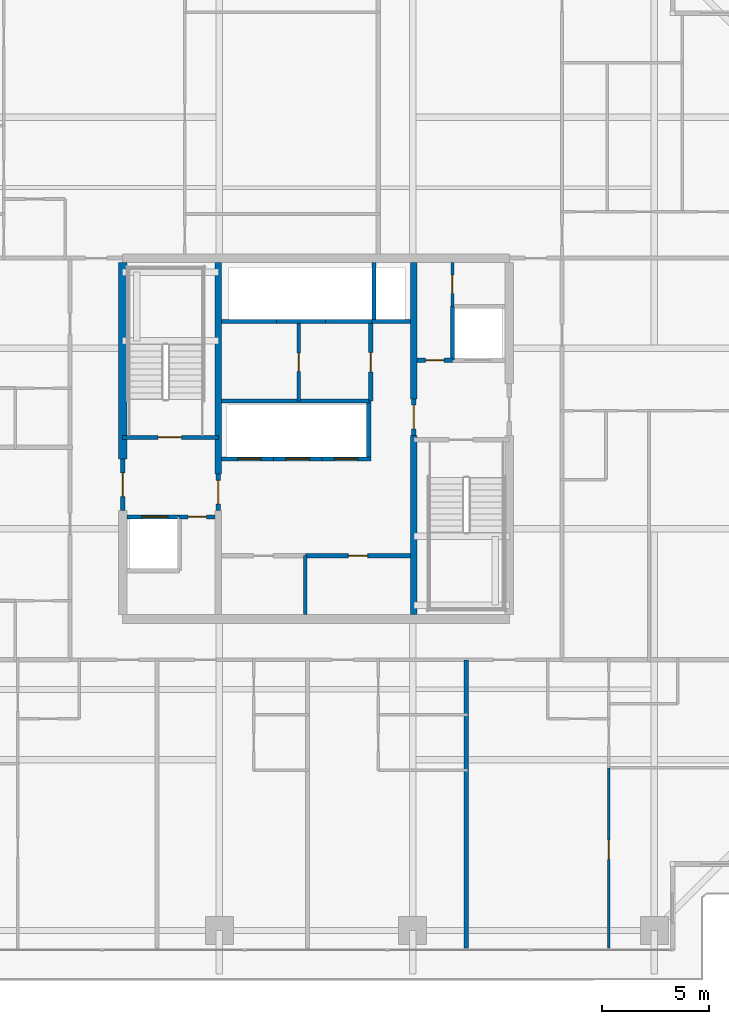
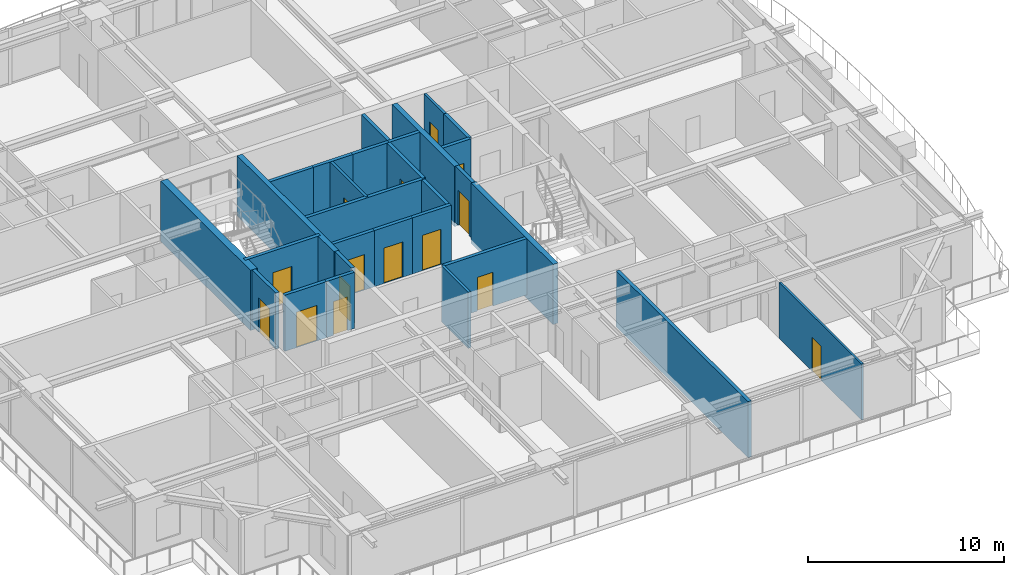
# One storey, part 24 of 33: 29 walls, 15 doors, 15 openings.
"""IFC4 building model written with IfcOpenShell, lengths in metres."""

from ifc_helpers import new_model, si_unit, direction, frame, frame_2d, origin, place, context, subcontext, project, spatial, rectangle, extrude, source, transform, mapped, material, layer, layer_set, type_object, element, fill, save


model = new_model("IFC4")

# Units and contexts
model_context = context("Model", 3, precision=1e-05, world=origin(), true_north=direction((0.0, 1.0)))
body_context = subcontext(model_context, "Body", "Model", "MODEL_VIEW")
ifc_project = project(units=[si_unit("LENGTHUNIT", "METRE"), si_unit("AREAUNIT", "SQUARE_METRE"), si_unit("VOLUMEUNIT", "CUBIC_METRE"), si_unit("PLANEANGLEUNIT", "RADIAN"), si_unit("MASSUNIT", "GRAM", prefix="KILO")], contexts=[model_context])

# Site, building, storey
site_placement = place(None, origin())
site = spatial("IfcSite", under=ifc_project, at=site_placement, CompositionType="ELEMENT")
building_placement = place(site_placement, origin())
building = spatial("IfcBuilding", under=site, at=building_placement, Name="Serunith Strait Residences", CompositionType="ELEMENT")
storey_placement = place(building_placement, frame((0.0, 0.0, 150.14990234375)))
storey = spatial("IfcBuildingStorey", under=building, at=storey_placement, Name="L37", CompositionType="ELEMENT", Elevation=150.14990234375)

# Wall, opening, door
ifc_material_1 = material(Name="Fire-rated masonry service closet wall", Category="masonry")
ifc_layer_1 = layer(ifc_material_1, 0.14990234375, Name="Fire-rated masonry service closet wall")
ifc_layer_set_1 = layer_set([ifc_layer_1], Name="Fire-rated masonry service closet wall")
wall_type_1 = type_object("IfcWallType", Name="IW-BOH-150", PredefinedType="PARTITIONING", material=ifc_layer_set_1)
wall_1_placement = place(storey_placement, frame((38.75, 31.35205078125, 0.0), z_axis=(0.0, 0.0, 1.0), x_axis=(0.0, 1.0, 0.0)))
wall_1 = element("IfcWall", 1, at=wall_1_placement, inside=storey, type_object=wall_type_1, Name="L37 Partition Wall 012", PredefinedType="PARTITIONING", context=body_context, shape_type="SweptSolid", body=[
    extrude(rectangle(XDim=2.0478515625, YDim=0.14990234375, at=frame_2d((1.02392578125, 0.0))), origin(), (0.0, 0.0, 1.0), 3.489990234375),
])
opening_1_placement = place(wall_1_placement, frame((0.59912109375, 0.0, 0.0)))
opening_1 = element("IfcOpeningElement", 2, at=opening_1_placement, cuts=wall_1, Name="Opening FD-850", PredefinedType="OPENING", context=body_context, shape_type="SweptSolid", body=[
    extrude(rectangle(XDim=0.85009765625, YDim=2.10009765625, at=frame_2d((0.425048828125, 1.050048828125))), frame((0.0, 0.0849609375, 0.0), z_axis=(0.0, -1.0, 0.0), x_axis=(1.0, 0.0, 0.0)), (0.0, 0.0, 1.0), 0.169921875),
])
ifc_material_2 = material(Name="Powder-coated steel service closet door", Category="steel")
door_type_1 = type_object("IfcDoorType", Name="FD-BOH-850", OperationType="NOTDEFINED", PredefinedType="DOOR", material=ifc_material_2)
shared_shape_1 = source(origin(), body_context, "Body", "SweptSolid", [
    extrude(rectangle(XDim=0.85009765625, YDim=2.10009765625, at=frame_2d((0.425048828125, 1.050048828125))), frame((0.0, 0.02490234375, 0.0), z_axis=(0.0, -1.0, 0.0), x_axis=(1.0, 0.0, 0.0)), (0.0, 0.0, 1.0), 0.050048828125),
])
door_1_placement = place(opening_1_placement, origin())
door_1 = element("IfcDoor", 3, at=door_1_placement, inside=storey, type_object=door_type_1, Name="L37 ELV Data Closet Door", OperationType="SINGLE_SWING_RIGHT", OverallHeight=2.10009765625, OverallWidth=0.85009765625, PredefinedType="DOOR", context=body_context, shape_type="MappedRepresentation", body=[
    mapped(shared_shape_1, transform((0.0, 0.0, 0.0), scale=1.0)),
])
fill(opening_1, door_1)

wall_2_placement = place(storey_placement, frame((31.60009765625, 26.949951171875, 0.0), z_axis=(0.0, 0.0, 1.0), x_axis=(0.0, 1.0, 0.0)))
wall_2 = element("IfcWall", 4, at=wall_2_placement, inside=storey, type_object=wall_type_1, Name="L37 Partition Wall 014", PredefinedType="PARTITIONING", context=body_context, shape_type="SweptSolid", body=[
    extrude(rectangle(XDim=3.60009765625, YDim=0.14990234375, at=frame_2d((1.800048828125, 0.0))), origin(), (0.0, 0.0, 1.0), 3.489990234375),
])
opening_2_placement = place(wall_2_placement, frame((1.375, 0.0, 0.0)))
opening_2 = element("IfcOpeningElement", 5, at=opening_2_placement, cuts=wall_2, Name="Opening FD-850", PredefinedType="OPENING", context=body_context, shape_type="SweptSolid", body=[
    extrude(rectangle(XDim=0.85009765625, YDim=2.10009765625, at=frame_2d((0.425048828125, 1.050048828125))), frame((0.0, 0.0849609375, 0.0), z_axis=(0.0, -1.0, 0.0), x_axis=(1.0, 0.0, 0.0)), (0.0, 0.0, 1.0), 0.169921875),
])
door_2_placement = place(opening_2_placement, origin())
door_2 = element("IfcDoor", 6, at=door_2_placement, inside=storey, type_object=door_type_1, Name="L37 Zone Telecoms Door", OperationType="SINGLE_SWING_RIGHT", OverallHeight=2.10009765625, OverallWidth=0.85009765625, PredefinedType="DOOR", context=body_context, shape_type="MappedRepresentation", body=[
    mapped(shared_shape_1, transform((0.0, 0.0, 0.0), scale=1.0)),
])
fill(opening_2, door_2)

# Wall
wall_3_placement = place(storey_placement, frame((31.89990234375, 17.02001953125, 0.0), z_axis=(0.0, 0.0, 1.0), x_axis=(0.0, 1.0, 0.0)))
element("IfcWall", 7, at=wall_3_placement, inside=storey, type_object=wall_type_1, Name="L37 Partition Wall 017", PredefinedType="PARTITIONING", context=body_context, shape_type="SweptSolid", body=[
    extrude(rectangle(XDim=2.72998046875, YDim=0.14990234375, at=frame_2d((1.364990234375, 0.0))), origin(), (0.0, 0.0, 1.0), 3.489990234375),
])

# Wall, opening, door
ifc_material_3 = material(Name="Lightweight steel-stud gypsum partition", Category="steel")
ifc_layer_2 = layer(ifc_material_3, 0.1201171875, Name="Lightweight steel-stud gypsum partition")
ifc_layer_set_2 = layer_set([ifc_layer_2], Name="Lightweight steel-stud gypsum partition")
wall_type_2 = type_object("IfcWallType", Name="IW-PART-120", PredefinedType="PARTITIONING", material=ifc_layer_set_2)
wall_4_placement = place(storey_placement, frame((46.030029296875, 1.4951171875, 0.0), z_axis=(0.0, 0.0, 1.0), x_axis=(0.0, 1.0, 0.0)))
wall_4 = element("IfcWall", 8, at=wall_4_placement, inside=storey, type_object=wall_type_2, Name="L37 Partition Wall 049", PredefinedType="PARTITIONING", context=body_context, shape_type="SweptSolid", body=[
    extrude(rectangle(XDim=8.3779296875, YDim=0.1201171875, at=frame_2d((4.18896484375, 0.0))), origin(), (0.0, 0.0, 1.0), 3.489990234375),
])
opening_3_placement = place(wall_4_placement, frame((4.113037109375, 0.0, 0.0)))
opening_3 = element("IfcOpeningElement", 9, at=opening_3_placement, cuts=wall_4, Name="Opening D-RM900", PredefinedType="OPENING", context=body_context, shape_type="SweptSolid", body=[
    extrude(rectangle(XDim=0.89990234375, YDim=2.10009765625, at=frame_2d((0.449951171875, 1.050048828125))), frame((0.0, 0.070068359375, 0.0), z_axis=(0.0, -1.0, 0.0), x_axis=(1.0, 0.0, 0.0)), (0.0, 0.0, 1.0), 0.14013671875),
])
ifc_material_4 = material(Name="Engineered timber flush bedroom door", Category="wood")
door_type_2 = type_object("IfcDoorType", Name="ID-ROOM-900", OperationType="NOTDEFINED", PredefinedType="DOOR", material=ifc_material_4)
shared_shape_2 = source(origin(), body_context, "Body", "SweptSolid", [
    extrude(rectangle(XDim=0.89990234375, YDim=2.10009765625, at=frame_2d((0.449951171875, 1.050048828125))), frame((0.0, 0.02490234375, 0.0), z_axis=(0.0, -1.0, 0.0), x_axis=(1.0, 0.0, 0.0)), (0.0, 0.0, 1.0), 0.050048828125),
])
door_3_placement = place(opening_3_placement, origin())
door_3 = element("IfcDoor", 10, at=door_3_placement, inside=storey, type_object=door_type_2, Name="L37 Master Bedroom 1 3704 Door", OperationType="SINGLE_SWING_LEFT", OverallHeight=2.10009765625, OverallWidth=0.89990234375, PredefinedType="DOOR", context=body_context, shape_type="MappedRepresentation", body=[
    mapped(shared_shape_2, transform((0.0, 0.0, 0.0), scale=1.0)),
])
fill(opening_3, door_3)

# Wall
ifc_material_5 = material(Name="Twin-stud acoustic gypsum board partition")
ifc_layer_3 = layer(ifc_material_5, 0.199951171875, Name="Twin-stud acoustic gypsum board partition")
ifc_layer_set_3 = layer_set([ifc_layer_3], Name="Twin-stud acoustic gypsum board partition")
wall_type_3 = type_object("IfcWallType", Name="IW-PARTY-200", PredefinedType="PARTITIONING", material=ifc_layer_set_3)
wall_5_placement = place(storey_placement, frame((39.39990234375, 1.48193359375, 0.0), z_axis=(0.0, 0.0, 1.0), x_axis=(0.0, 1.0, 0.0)))
element("IfcWall", 11, at=wall_5_placement, inside=storey, type_object=wall_type_3, Name="L37 Partition Wall 020", PredefinedType="PARTITIONING", context=body_context, shape_type="SweptSolid", body=[
    extrude(rectangle(XDim=13.41796875, YDim=0.199951171875, at=frame_2d((6.708984375, 0.0))), origin(), (0.0, 0.0, 1.0), 3.489990234375),
])

# Wall, opening, door
ifc_material_6 = material(Name="Autoclaved aerated concrete blockwork", Category="masonry")
ifc_layer_4 = layer(ifc_material_6, 0.199951171875, Name="Autoclaved aerated concrete blockwork")
ifc_layer_set_4 = layer_set([ifc_layer_4], Name="Autoclaved aerated concrete blockwork")
wall_type_4 = type_object("IfcWallType", Name="IW-SHAFT-200", PredefinedType="STANDARD", material=ifc_layer_set_4)
wall_6_placement = place(storey_placement, frame((23.39990234375, 25.25, 0.0), z_axis=(0.0, 0.0, 1.0), x_axis=(1.0, 0.0, 0.0)))
wall_6 = element("IfcWall", 12, at=wall_6_placement, inside=storey, type_object=wall_type_4, Name="L37 ST-1 South Shaft Wall", PredefinedType="STANDARD", context=body_context, shape_type="SweptSolid", body=[
    extrude(rectangle(XDim=4.4501953125, YDim=0.199951171875, at=frame_2d((2.22509765625, 0.0))), origin(), (0.0, 0.0, 1.0), 3.489990234375),
])
opening_4_placement = place(wall_6_placement, frame((1.64990234375, 0.0, 0.0)))
opening_4 = element("IfcOpeningElement", 13, at=opening_4_placement, cuts=wall_6, Name="Opening FD-1100", PredefinedType="OPENING", context=body_context, shape_type="SweptSolid", body=[
    extrude(rectangle(XDim=1.10009765625, YDim=2.14990234375, at=frame_2d((0.550048828125, 1.074951171875))), frame((0.0, 0.10986328125, 0.0), z_axis=(0.0, -1.0, 0.0), x_axis=(1.0, 0.0, 0.0)), (0.0, 0.0, 1.0), 0.219970703125),
])
ifc_material_7 = material(Name="Galvanised steel fire door leaf", Category="steel")
door_type_3 = type_object("IfcDoorType", Name="FD-STAIR-1100", OperationType="NOTDEFINED", PredefinedType="DOOR", material=ifc_material_7)
shared_shape_3 = source(origin(), body_context, "Body", "SweptSolid", [
    extrude(rectangle(XDim=1.10009765625, YDim=2.14990234375, at=frame_2d((0.550048828125, 1.074951171875))), frame((0.0, 0.02490234375, 0.0), z_axis=(0.0, -1.0, 0.0), x_axis=(1.0, 0.0, 0.0)), (0.0, 0.0, 1.0), 0.050048828125),
])
door_4_placement = place(opening_4_placement, origin())
door_4 = element("IfcDoor", 14, at=door_4_placement, inside=storey, type_object=door_type_3, Name="L37 ST-1 Escape Stair Door", OperationType="SINGLE_SWING_LEFT", OverallHeight=2.14990234375, OverallWidth=1.10009765625, PredefinedType="DOOR", context=body_context, shape_type="MappedRepresentation", body=[
    mapped(shared_shape_3, transform((0.0, 0.0, 0.0), scale=1.0)),
])
fill(opening_4, door_4)

wall_7_placement = place(storey_placement, frame((23.60009765625, 21.550048828125, 0.0), z_axis=(0.0, 0.0, 1.0), x_axis=(1.0, 0.0, 0.0)))
wall_7 = element("IfcWall", 15, at=wall_7_placement, inside=storey, type_object=wall_type_4, Name="L37 FL-1 North Shaft Wall", PredefinedType="STANDARD", context=body_context, shape_type="SweptSolid", body=[
    extrude(rectangle(XDim=2.449951171875, YDim=0.199951171875, at=frame_2d((1.22509765625, 0.0))), origin(), (0.0, 0.0, 1.0), 3.489990234375),
])
opening_5_placement = place(wall_7_placement, frame((0.699951171875, 0.0, 0.0)))
opening_5 = element("IfcOpeningElement", 16, at=opening_5_placement, cuts=wall_7, Name="Opening LD-FF1200", PredefinedType="OPENING", context=body_context, shape_type="SweptSolid", body=[
    extrude(rectangle(XDim=1.199951171875, YDim=2.199951171875, at=frame_2d((0.60009765625, 1.10009765625))), frame((0.0, 0.10986328125, 0.0), z_axis=(0.0, -1.0, 0.0), x_axis=(1.0, 0.0, 0.0)), (0.0, 0.0, 1.0), 0.219970703125),
])
ifc_material_8 = material(Name="Brushed stainless steel landing door", Category="steel")
door_type_4 = type_object("IfcDoorType", Name="LD-FF-1200", OperationType="DOUBLE_DOOR_SLIDING", PredefinedType="DOOR", material=ifc_material_8)
shared_shape_4 = source(origin(), body_context, "Body", "SweptSolid", [
    extrude(rectangle(XDim=1.199951171875, YDim=2.199951171875, at=frame_2d((0.60009765625, 1.10009765625))), frame((0.0, 0.02490234375, 0.0), z_axis=(0.0, -1.0, 0.0), x_axis=(1.0, 0.0, 0.0)), (0.0, 0.0, 1.0), 0.050048828125),
])
door_5_placement = place(opening_5_placement, origin())
door_5 = element("IfcDoor", 17, at=door_5_placement, inside=storey, type_object=door_type_4, Name="L37 FL-1 Landing Door", OperationType="DOUBLE_DOOR_SLIDING", OverallHeight=2.199951171875, OverallWidth=1.199951171875, PredefinedType="DOOR", context=body_context, shape_type="MappedRepresentation", body=[
    mapped(shared_shape_4, transform((0.0, 0.0, 0.0), scale=1.0)),
])
fill(opening_5, door_5)

wall_8_placement = place(storey_placement, frame((28.0, 24.25, 0.0), z_axis=(0.0, 0.0, 1.0), x_axis=(1.0, 0.0, 0.0)))
wall_8 = element("IfcWall", 18, at=wall_8_placement, inside=storey, type_object=wall_type_4, Name="L37 PL-4 South Shaft Wall", PredefinedType="STANDARD", context=body_context, shape_type="SweptSolid", body=[
    extrude(rectangle(XDim=2.425048828125, YDim=0.199951171875, at=frame_2d((1.21240234375, 0.0))), origin(), (0.0, 0.0, 1.0), 3.489990234375),
])
opening_6_placement = place(wall_8_placement, frame((0.75, 0.0, 0.0)))
opening_6 = element("IfcOpeningElement", 19, at=opening_6_placement, cuts=wall_8, Name="Opening LD-1100", PredefinedType="OPENING", context=body_context, shape_type="SweptSolid", body=[
    extrude(rectangle(XDim=1.10009765625, YDim=2.199951171875, at=frame_2d((0.550048828125, 1.10009765625))), frame((0.0, 0.10986328125, 0.0), z_axis=(0.0, -1.0, 0.0), x_axis=(1.0, 0.0, 0.0)), (0.0, 0.0, 1.0), 0.219970703125),
])
ifc_material_9 = material(Name="Pale-champagne stainless landing door")
door_type_5 = type_object("IfcDoorType", Name="LD-LIFT-1100", OperationType="DOUBLE_DOOR_SLIDING", PredefinedType="DOOR", material=ifc_material_9)
shared_shape_5 = source(origin(), body_context, "Body", "SweptSolid", [
    extrude(rectangle(XDim=1.10009765625, YDim=2.199951171875, at=frame_2d((0.550048828125, 1.10009765625))), frame((0.0, 0.02490234375, 0.0), z_axis=(0.0, -1.0, 0.0), x_axis=(1.0, 0.0, 0.0)), (0.0, 0.0, 1.0), 0.050048828125),
])
door_6_placement = place(opening_6_placement, origin())
door_6 = element("IfcDoor", 20, at=door_6_placement, inside=storey, type_object=door_type_5, Name="L37 PL-4 Landing Door", OperationType="DOUBLE_DOOR_SLIDING", OverallHeight=2.199951171875, OverallWidth=1.10009765625, PredefinedType="DOOR", context=body_context, shape_type="MappedRepresentation", body=[
    mapped(shared_shape_5, transform((0.0, 0.0, 0.0), scale=1.0)),
])
fill(opening_6, door_6)

wall_9_placement = place(storey_placement, frame((30.425048828125, 24.25, 0.0), z_axis=(0.0, 0.0, 1.0), x_axis=(1.0, 0.0, 0.0)))
wall_9 = element("IfcWall", 21, at=wall_9_placement, inside=storey, type_object=wall_type_4, Name="L37 PL-5 South Shaft Wall", PredefinedType="STANDARD", context=body_context, shape_type="SweptSolid", body=[
    extrude(rectangle(XDim=2.25, YDim=0.199951171875, at=frame_2d((1.125, 0.0))), origin(), (0.0, 0.0, 1.0), 3.489990234375),
])
opening_7_placement = place(wall_9_placement, frame((0.574951171875, 0.0, 0.0)))
opening_7 = element("IfcOpeningElement", 22, at=opening_7_placement, cuts=wall_9, Name="Opening LD-1100", PredefinedType="OPENING", context=body_context, shape_type="SweptSolid", body=[
    extrude(rectangle(XDim=1.10009765625, YDim=2.199951171875, at=frame_2d((0.550048828125, 1.10009765625))), frame((0.0, 0.10986328125, 0.0), z_axis=(0.0, -1.0, 0.0), x_axis=(1.0, 0.0, 0.0)), (0.0, 0.0, 1.0), 0.219970703125),
])
door_7_placement = place(opening_7_placement, origin())
door_7 = element("IfcDoor", 23, at=door_7_placement, inside=storey, type_object=door_type_5, Name="L37 PL-5 Landing Door", OperationType="DOUBLE_DOOR_SLIDING", OverallHeight=2.199951171875, OverallWidth=1.10009765625, PredefinedType="DOOR", context=body_context, shape_type="MappedRepresentation", body=[
    mapped(shared_shape_5, transform((0.0, 0.0, 0.0), scale=1.0)),
])
fill(opening_7, door_7)

wall_10_placement = place(storey_placement, frame((32.675048828125, 24.25, 0.0), z_axis=(0.0, 0.0, 1.0), x_axis=(1.0, 0.0, 0.0)))
wall_10 = element("IfcWall", 24, at=wall_10_placement, inside=storey, type_object=wall_type_4, Name="L37 PL-6 South Shaft Wall", PredefinedType="STANDARD", context=body_context, shape_type="SweptSolid", body=[
    extrude(rectangle(XDim=2.27490234375, YDim=0.199951171875, at=frame_2d((1.137451171875, 0.0))), origin(), (0.0, 0.0, 1.0), 3.489990234375),
])
opening_8_placement = place(wall_10_placement, frame((0.574951171875, 0.0, 0.0)))
opening_8 = element("IfcOpeningElement", 25, at=opening_8_placement, cuts=wall_10, Name="Opening LD-1100", PredefinedType="OPENING", context=body_context, shape_type="SweptSolid", body=[
    extrude(rectangle(XDim=1.10009765625, YDim=2.199951171875, at=frame_2d((0.550048828125, 1.10009765625))), frame((0.0, 0.10986328125, 0.0), z_axis=(0.0, -1.0, 0.0), x_axis=(1.0, 0.0, 0.0)), (0.0, 0.0, 1.0), 0.219970703125),
])
door_8_placement = place(opening_8_placement, origin())
door_8 = element("IfcDoor", 26, at=door_8_placement, inside=storey, type_object=door_type_5, Name="L37 PL-6 Landing Door", OperationType="DOUBLE_DOOR_SLIDING", OverallHeight=2.199951171875, OverallWidth=1.10009765625, PredefinedType="DOOR", context=body_context, shape_type="MappedRepresentation", body=[
    mapped(shared_shape_5, transform((0.0, 0.0, 0.0), scale=1.0)),
])
fill(opening_8, door_8)

# Walls
wall_11_placement = place(storey_placement, frame((34.85009765625, 24.35009765625, 0.0), z_axis=(0.0, 0.0, 1.0), x_axis=(0.0, 1.0, 0.0)))
element("IfcWall", 27, at=wall_11_placement, inside=storey, type_object=wall_type_4, Name="L37 PL-6 East Shaft Wall", PredefinedType="STANDARD", context=body_context, shape_type="SweptSolid", body=[
    extrude(rectangle(XDim=2.5, YDim=0.199951171875, at=frame_2d((1.25, 0.0))), origin(), (0.0, 0.0, 1.0), 3.489990234375),
])
wall_12_placement = place(storey_placement, frame((28.0, 30.64990234375, 0.0), z_axis=(0.0, 0.0, 1.0), x_axis=(1.0, 0.0, 0.0)))
element("IfcWall", 28, at=wall_12_placement, inside=storey, type_object=wall_type_4, Name="L37 PL-7 South Shaft Wall", PredefinedType="STANDARD", context=body_context, shape_type="SweptSolid", body=[
    extrude(rectangle(XDim=2.550048828125, YDim=0.199951171875, at=frame_2d((1.27490234375, 0.0))), origin(), (0.0, 0.0, 1.0), 3.489990234375),
])
wall_13_placement = place(storey_placement, frame((30.550048828125, 30.64990234375, 0.0), z_axis=(0.0, 0.0, 1.0), x_axis=(1.0, 0.0, 0.0)))
element("IfcWall", 29, at=wall_13_placement, inside=storey, type_object=wall_type_4, Name="L37 PL-8 South Shaft Wall", PredefinedType="STANDARD", context=body_context, shape_type="SweptSolid", body=[
    extrude(rectangle(XDim=2.300048828125, YDim=0.199951171875, at=frame_2d((1.14990234375, 0.0))), origin(), (0.0, 0.0, 1.0), 3.489990234375),
])
wall_14_placement = place(storey_placement, frame((32.85009765625, 30.64990234375, 0.0), z_axis=(0.0, 0.0, 1.0), x_axis=(1.0, 0.0, 0.0)))
element("IfcWall", 30, at=wall_14_placement, inside=storey, type_object=wall_type_4, Name="L37 PL-9 South Shaft Wall", PredefinedType="STANDARD", context=body_context, shape_type="SweptSolid", body=[
    extrude(rectangle(XDim=2.14990234375, YDim=0.199951171875, at=frame_2d((1.074951171875, 0.0))), origin(), (0.0, 0.0, 1.0), 3.489990234375),
])
wall_15_placement = place(storey_placement, frame((35.0, 30.64990234375, 0.0), z_axis=(0.0, 0.0, 1.0), x_axis=(1.0, 0.0, 0.0)))
element("IfcWall", 31, at=wall_15_placement, inside=storey, type_object=wall_type_4, Name="L37 SL-1 South Shaft Wall", PredefinedType="STANDARD", context=body_context, shape_type="SweptSolid", body=[
    extrude(rectangle(XDim=1.800048828125, YDim=0.199951171875, at=frame_2d((0.89990234375, 0.0))), origin(), (0.0, 0.0, 1.0), 3.489990234375),
])
wall_16_placement = place(storey_placement, frame((35.10009765625, 30.75, 0.0), z_axis=(0.0, 0.0, 1.0), x_axis=(0.0, 1.0, 0.0)))
element("IfcWall", 32, at=wall_16_placement, inside=storey, type_object=wall_type_4, Name="L37 SL-1 West Shaft Wall", PredefinedType="STANDARD", context=body_context, shape_type="SweptSolid", body=[
    extrude(rectangle(XDim=2.64990234375, YDim=0.199951171875, at=frame_2d((1.324951171875, 0.0))), origin(), (0.0, 0.0, 1.0), 3.489990234375),
])

# Wall, opening, door
wall_17_placement = place(storey_placement, frame((26.052001953125, 21.550048828125, 0.0), z_axis=(0.0, 0.0, 1.0), x_axis=(1.0, 0.0, 0.0)))
wall_17 = element("IfcWall", 33, at=wall_17_placement, inside=storey, type_object=wall_type_4, Name="L37 Partition Wall 003", PredefinedType="STANDARD", context=body_context, shape_type="SweptSolid", body=[
    extrude(rectangle(XDim=1.64794921875, YDim=0.199951171875, at=frame_2d((0.823974609375, 0.0))), origin(), (0.0, 0.0, 1.0), 3.489990234375),
])
opening_9_placement = place(wall_17_placement, frame((0.39892578125, 0.0, 0.0)))
opening_9 = element("IfcOpeningElement", 34, at=opening_9_placement, cuts=wall_17, Name="Opening FD-850", PredefinedType="OPENING", context=body_context, shape_type="SweptSolid", body=[
    extrude(rectangle(XDim=0.85009765625, YDim=2.10009765625, at=frame_2d((0.425048828125, 1.050048828125))), frame((0.0, 0.10986328125, 0.0), z_axis=(0.0, -1.0, 0.0), x_axis=(1.0, 0.0, 0.0)), (0.0, 0.0, 1.0), 0.219970703125),
])
door_9_placement = place(opening_9_placement, origin())
door_9 = element("IfcDoor", 35, at=door_9_placement, inside=storey, type_object=door_type_1, Name="L37 South-West Core Service Door", OperationType="SINGLE_SWING_RIGHT", OverallHeight=2.10009765625, OverallWidth=0.85009765625, PredefinedType="DOOR", context=body_context, shape_type="MappedRepresentation", body=[
    mapped(shared_shape_1, transform((0.0, 0.0, 0.0), scale=1.0)),
])
fill(opening_9, door_9)

# Wall
wall_18_placement = place(storey_placement, frame((38.75, 28.85009765625, 0.0), z_axis=(0.0, 0.0, 1.0), x_axis=(0.0, 1.0, 0.0)))
element("IfcWall", 36, at=wall_18_placement, inside=storey, type_object=wall_type_4, Name="L37 Partition Wall 004", PredefinedType="STANDARD", context=body_context, shape_type="SweptSolid", body=[
    extrude(rectangle(XDim=2.5, YDim=0.199951171875, at=frame_2d((1.25, 0.0))), origin(), (0.0, 0.0, 1.0), 3.489990234375),
])

# Wall, opening, door
wall_19_placement = place(storey_placement, frame((37.10009765625, 28.85009765625, 0.0), z_axis=(0.0, 0.0, 1.0), x_axis=(1.0, 0.0, 0.0)))
wall_19 = element("IfcWall", 37, at=wall_19_placement, inside=storey, type_object=wall_type_4, Name="L37 Partition Wall 006", PredefinedType="STANDARD", context=body_context, shape_type="SweptSolid", body=[
    extrude(rectangle(XDim=1.64794921875, YDim=0.199951171875, at=frame_2d((0.823974609375, 0.0))), origin(), (0.0, 0.0, 1.0), 3.489990234375),
])
opening_10_placement = place(wall_19_placement, frame((0.39892578125, 0.0, 0.0)))
opening_10 = element("IfcOpeningElement", 38, at=opening_10_placement, cuts=wall_19, Name="Opening FD-850", PredefinedType="OPENING", context=body_context, shape_type="SweptSolid", body=[
    extrude(rectangle(XDim=0.85009765625, YDim=2.10009765625, at=frame_2d((0.425048828125, 1.050048828125))), frame((0.0, 0.10986328125, 0.0), z_axis=(0.0, -1.0, 0.0), x_axis=(1.0, 0.0, 0.0)), (0.0, 0.0, 1.0), 0.219970703125),
])
door_10_placement = place(opening_10_placement, origin())
door_10 = element("IfcDoor", 39, at=door_10_placement, inside=storey, type_object=door_type_1, Name="L37 North-East Core Service Door", OperationType="SINGLE_SWING_LEFT", OverallHeight=2.10009765625, OverallWidth=0.85009765625, PredefinedType="DOOR", context=body_context, shape_type="MappedRepresentation", body=[
    mapped(shared_shape_1, transform((0.0, 0.0, 0.0), scale=1.0)),
])
fill(opening_10, door_10)

wall_20_placement = place(storey_placement, frame((23.39990234375, 21.85205078125, 0.0), z_axis=(0.0, 0.0, 1.0), x_axis=(0.0, 1.0, 0.0)))
wall_20 = element("IfcWall", 40, at=wall_20_placement, inside=storey, type_object=wall_type_4, Name="L37 Partition Wall 007", PredefinedType="STANDARD", context=body_context, shape_type="SweptSolid", body=[
    extrude(rectangle(XDim=2.39599609375, YDim=0.199951171875, at=frame_2d((1.197998046875, 0.0))), origin(), (0.0, 0.0, 1.0), 3.489990234375),
])
opening_11_placement = place(wall_20_placement, frame((0.64794921875, 0.0, 0.0)))
opening_11 = element("IfcOpeningElement", 41, at=opening_11_placement, cuts=wall_20, Name="Opening FD-FFL", PredefinedType="OPENING", context=body_context, shape_type="SweptSolid", body=[
    extrude(rectangle(XDim=1.10009765625, YDim=2.14990234375, at=frame_2d((0.550048828125, 1.074951171875))), frame((0.0, 0.10986328125, 0.0), z_axis=(0.0, -1.0, 0.0), x_axis=(1.0, 0.0, 0.0)), (0.0, 0.0, 1.0), 0.219970703125),
])
ifc_material_10 = material(Name="Glazed steel smoke-lobby fire door", Category="steel")
door_type_6 = type_object("IfcDoorType", Name="FD-FFL-1100", OperationType="NOTDEFINED", PredefinedType="DOOR", material=ifc_material_10)
door_11_placement = place(opening_11_placement, origin())
door_11 = element("IfcDoor", 42, at=door_11_placement, inside=storey, type_object=door_type_6, Name="L37 FFL-1 Corridor Fire Door", OperationType="SINGLE_SWING_RIGHT", OverallHeight=2.14990234375, OverallWidth=1.10009765625, PredefinedType="DOOR", context=body_context, shape_type="MappedRepresentation", body=[
    mapped(shared_shape_3, transform((0.0, 0.0, 0.0), scale=1.0)),
])
fill(opening_11, door_11)

wall_21_placement = place(storey_placement, frame((27.85009765625, 21.85205078125, 0.0), z_axis=(0.0, 0.0, 1.0), x_axis=(0.0, 1.0, 0.0)))
wall_21 = element("IfcWall", 43, at=wall_21_placement, inside=storey, type_object=wall_type_4, Name="L37 Partition Wall 009", PredefinedType="STANDARD", context=body_context, shape_type="SweptSolid", body=[
    extrude(rectangle(XDim=1.696044921875, YDim=0.199951171875, at=frame_2d((0.84814453125, 0.0))), origin(), (0.0, 0.0, 1.0), 3.489990234375),
])
opening_12_placement = place(wall_21_placement, frame((0.298095703125, 0.0, 0.0)))
opening_12 = element("IfcOpeningElement", 44, at=opening_12_placement, cuts=wall_21, Name="Opening FD-FFL", PredefinedType="OPENING", context=body_context, shape_type="SweptSolid", body=[
    extrude(rectangle(XDim=1.10009765625, YDim=2.14990234375, at=frame_2d((0.550048828125, 1.074951171875))), frame((0.0, 0.10986328125, 0.0), z_axis=(0.0, -1.0, 0.0), x_axis=(1.0, 0.0, 0.0)), (0.0, 0.0, 1.0), 0.219970703125),
])
door_12_placement = place(opening_12_placement, origin())
door_12 = element("IfcDoor", 45, at=door_12_placement, inside=storey, type_object=door_type_6, Name="L37 FFL-1 Lift Lobby Door", OperationType="SINGLE_SWING_RIGHT", OverallHeight=2.14990234375, OverallWidth=1.10009765625, PredefinedType="DOOR", context=body_context, shape_type="MappedRepresentation", body=[
    mapped(shared_shape_3, transform((0.0, 0.0, 0.0), scale=1.0)),
])
fill(opening_12, door_12)

wall_22_placement = place(storey_placement, frame((36.949951171875, 25.35205078125, 0.0), z_axis=(0.0, 0.0, 1.0), x_axis=(0.0, 1.0, 0.0)))
wall_22 = element("IfcWall", 46, at=wall_22_placement, inside=storey, type_object=wall_type_4, Name="L37 Partition Wall 010", PredefinedType="STANDARD", context=body_context, shape_type="SweptSolid", body=[
    extrude(rectangle(XDim=1.696044921875, YDim=0.199951171875, at=frame_2d((0.84814453125, 0.0))), origin(), (0.0, 0.0, 1.0), 3.489990234375),
])
opening_13_placement = place(wall_22_placement, frame((0.298095703125, 0.0, 0.0)))
opening_13 = element("IfcOpeningElement", 47, at=opening_13_placement, cuts=wall_22, Name="Opening FD-FFL", PredefinedType="OPENING", context=body_context, shape_type="SweptSolid", body=[
    extrude(rectangle(XDim=1.10009765625, YDim=2.14990234375, at=frame_2d((0.550048828125, 1.074951171875))), frame((0.0, 0.10986328125, 0.0), z_axis=(0.0, -1.0, 0.0), x_axis=(1.0, 0.0, 0.0)), (0.0, 0.0, 1.0), 0.219970703125),
])
door_13_placement = place(opening_13_placement, origin())
door_13 = element("IfcDoor", 48, at=door_13_placement, inside=storey, type_object=door_type_6, Name="L37 FFL-2 Lift Lobby Door", OperationType="SINGLE_SWING_LEFT", OverallHeight=2.14990234375, OverallWidth=1.10009765625, PredefinedType="DOOR", context=body_context, shape_type="MappedRepresentation", body=[
    mapped(shared_shape_3, transform((0.0, 0.0, 0.0), scale=1.0)),
])
fill(opening_13, door_13)

# Wall
wall_23_placement = place(storey_placement, frame((28.0, 26.949951171875, 0.0), z_axis=(0.0, 0.0, 1.0), x_axis=(1.0, 0.0, 0.0)))
element("IfcWall", 49, at=wall_23_placement, inside=storey, type_object=wall_type_4, Name="L37 Partition Wall 011", PredefinedType="STANDARD", context=body_context, shape_type="SweptSolid", body=[
    extrude(rectangle(XDim=6.949951171875, YDim=0.199951171875, at=frame_2d((3.47509765625, 0.0))), origin(), (0.0, 0.0, 1.0), 3.489990234375),
])

# Wall, opening, door
wall_24_placement = place(storey_placement, frame((34.949951171875, 26.949951171875, 0.0), z_axis=(0.0, 0.0, 1.0), x_axis=(0.0, 1.0, 0.0)))
wall_24 = element("IfcWall", 50, at=wall_24_placement, inside=storey, type_object=wall_type_4, Name="L37 Partition Wall 013", PredefinedType="STANDARD", context=body_context, shape_type="SweptSolid", body=[
    extrude(rectangle(XDim=3.60009765625, YDim=0.199951171875, at=frame_2d((1.800048828125, 0.0))), origin(), (0.0, 0.0, 1.0), 3.489990234375),
])
opening_14_placement = place(wall_24_placement, frame((1.35009765625, 0.0, 0.0)))
opening_14 = element("IfcOpeningElement", 51, at=opening_14_placement, cuts=wall_24, Name="Opening FD-900", PredefinedType="OPENING", context=body_context, shape_type="SweptSolid", body=[
    extrude(rectangle(XDim=0.89990234375, YDim=2.10009765625, at=frame_2d((0.449951171875, 1.050048828125))), frame((0.0, 0.10986328125, 0.0), z_axis=(0.0, -1.0, 0.0), x_axis=(1.0, 0.0, 0.0)), (0.0, 0.0, 1.0), 0.219970703125),
])
ifc_material_11 = material(Name="Powder-coated steel riser door", Category="steel")
door_type_7 = type_object("IfcDoorType", Name="FD-BOH-900", OperationType="NOTDEFINED", PredefinedType="DOOR", material=ifc_material_11)
door_14_placement = place(opening_14_placement, origin())
door_14 = element("IfcDoor", 52, at=door_14_placement, inside=storey, type_object=door_type_7, Name="L37 Central Comms Door", OperationType="SINGLE_SWING_LEFT", OverallHeight=2.10009765625, OverallWidth=0.89990234375, PredefinedType="DOOR", context=body_context, shape_type="MappedRepresentation", body=[
    mapped(shared_shape_2, transform((0.0, 0.0, 0.0), scale=1.0)),
])
fill(opening_14, door_14)

wall_25_placement = place(storey_placement, frame((31.902099609375, 19.75, 0.0), z_axis=(0.0, 0.0, 1.0), x_axis=(1.0, 0.0, 0.0)))
wall_25 = element("IfcWall", 53, at=wall_25_placement, inside=storey, type_object=wall_type_4, Name="L37 Partition Wall 016", PredefinedType="STANDARD", context=body_context, shape_type="SweptSolid", body=[
    extrude(rectangle(XDim=4.89794921875, YDim=0.199951171875, at=frame_2d((2.448974609375, 0.0))), origin(), (0.0, 0.0, 1.0), 3.489990234375),
])
opening_15_placement = place(wall_25_placement, frame((1.9990234375, 0.0, 0.0)))
opening_15 = element("IfcOpeningElement", 54, at=opening_15_placement, cuts=wall_25, Name="Opening FD-900", PredefinedType="OPENING", context=body_context, shape_type="SweptSolid", body=[
    extrude(rectangle(XDim=0.89990234375, YDim=2.10009765625, at=frame_2d((0.449951171875, 1.050048828125))), frame((0.0, 0.10986328125, 0.0), z_axis=(0.0, -1.0, 0.0), x_axis=(1.0, 0.0, 0.0)), (0.0, 0.0, 1.0), 0.219970703125),
])
door_15_placement = place(opening_15_placement, origin())
door_15 = element("IfcDoor", 55, at=door_15_placement, inside=storey, type_object=door_type_7, Name="L37 High-Rise Meter Door", OperationType="SINGLE_SWING_RIGHT", OverallHeight=2.10009765625, OverallWidth=0.89990234375, PredefinedType="DOOR", context=body_context, shape_type="MappedRepresentation", body=[
    mapped(shared_shape_2, transform((0.0, 0.0, 0.0), scale=1.0)),
])
fill(opening_15, door_15)

# Walls
ifc_material_12 = material(Name="Concrete C70/85", Category="concrete")
ifc_layer_5 = layer(ifc_material_12, 0.300048828125, Name="Concrete C70/85")
ifc_layer_set_5 = layer_set([ifc_layer_5], Name="Concrete C70/85")
wall_type_5 = type_object("IfcWallType", Name="SW-300-C70", PredefinedType="SHEAR", material=ifc_layer_set_5)
wall_26_placement = place(storey_placement, frame((27.85009765625, 23.550048828125, -0.260009765625), z_axis=(0.0, 0.0, 1.0), x_axis=(0.0, 1.0, 0.0)))
element("IfcWall", 56, at=wall_26_placement, inside=storey, type_object=wall_type_5, Name="L37 Core Internal West Web North Pier", PredefinedType="SHEAR", context=body_context, shape_type="SweptSolid", body=[
    extrude(rectangle(XDim=9.849853515625, YDim=0.300048828125, at=frame_2d((4.9248046875, 0.0))), origin(), (0.0, 0.0, 1.0), 3.748046875),
])
wall_27_placement = place(storey_placement, frame((36.949951171875, 17.0, -0.260009765625), z_axis=(0.0, 0.0, 1.0), x_axis=(0.0, 1.0, 0.0)))
element("IfcWall", 57, at=wall_27_placement, inside=storey, type_object=wall_type_5, Name="L37 Core Internal East Web South Pier", PredefinedType="SHEAR", context=body_context, shape_type="SweptSolid", body=[
    extrude(rectangle(XDim=8.35009765625, YDim=0.300048828125, at=frame_2d((4.175048828125, 0.0))), origin(), (0.0, 0.0, 1.0), 3.748046875),
])
wall_28_placement = place(storey_placement, frame((36.949951171875, 27.050048828125, -0.260009765625), z_axis=(0.0, 0.0, 1.0), x_axis=(0.0, 1.0, 0.0)))
element("IfcWall", 58, at=wall_28_placement, inside=storey, type_object=wall_type_5, Name="L37 Core Internal East Web North Pier", PredefinedType="SHEAR", context=body_context, shape_type="SweptSolid", body=[
    extrude(rectangle(XDim=6.349853515625, YDim=0.300048828125, at=frame_2d((3.1748046875, 0.0))), origin(), (0.0, 0.0, 1.0), 3.748046875),
])
ifc_layer_6 = layer(ifc_material_12, 0.39990234375, Name="Concrete C70/85")
ifc_layer_set_6 = layer_set([ifc_layer_6], Name="Concrete C70/85")
wall_type_6 = type_object("IfcWallType", Name="SW-400-C70", PredefinedType="SHEAR", material=ifc_layer_set_6)
wall_29_placement = place(storey_placement, frame((23.39990234375, 24.25, -0.260009765625), z_axis=(0.0, 0.0, 1.0), x_axis=(0.0, 1.0, 0.0)))
element("IfcWall", 59, at=wall_29_placement, inside=storey, type_object=wall_type_6, Name="L37 Core West Shear Wall North Pier", PredefinedType="SHEAR", context=body_context, shape_type="SweptSolid", body=[
    extrude(rectangle(XDim=9.14990234375, YDim=0.39990234375, at=frame_2d((4.574951171875, 0.0))), origin(), (0.0, 0.0, 1.0), 3.748046875),
])

save(model, "model.ifc")
